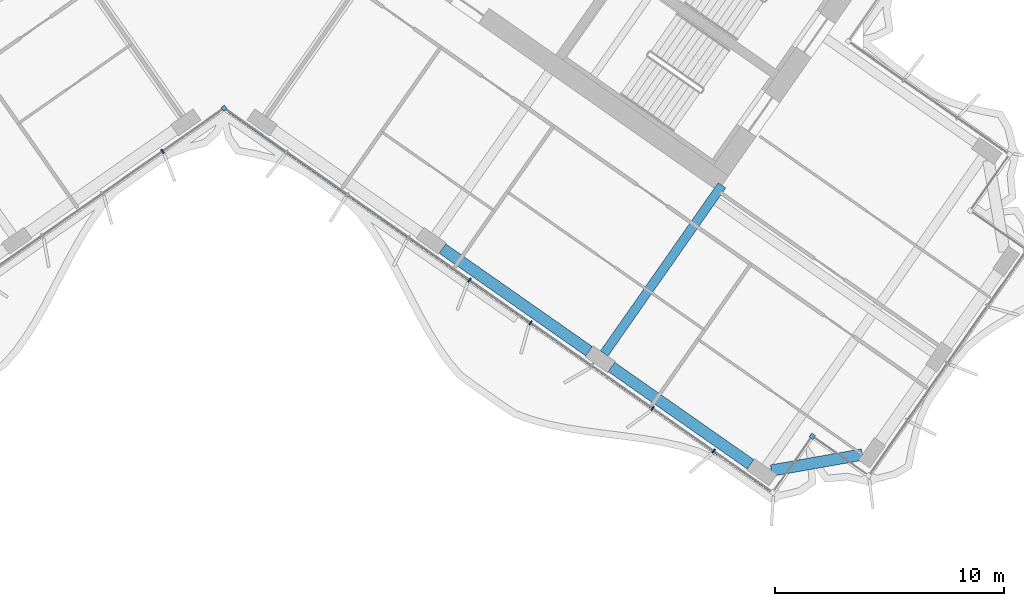
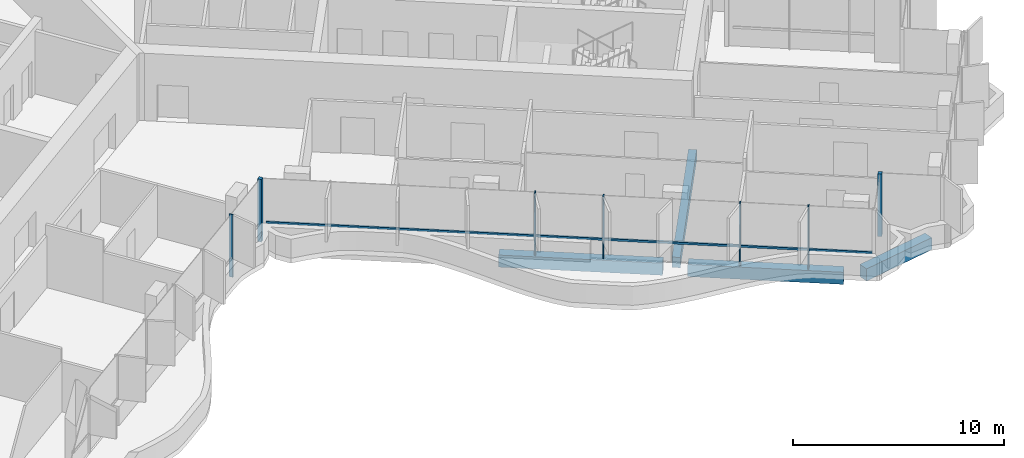
# One storey, part 6 of 23: 8 members, 4 beams, 1 element without a shape of its own.
"""IFC4 building model written with IfcOpenShell, lengths in metres."""

from ifc_helpers import new_model, si_unit, direction, frame, origin, origin_2d, place, context, subcontext, project, spatial, rectangle, extrude, material, material_profile, profile_set, type_object, element, aggregate, save


model = new_model("IFC4")

# Units and contexts
model_context = context("Model", 3, precision=1e-05, world=origin(), true_north=direction((0.0, 1.0)))
body_context = subcontext(model_context, "Body", "Model", "MODEL_VIEW")
ifc_project = project(units=[si_unit("LENGTHUNIT", "METRE"), si_unit("AREAUNIT", "SQUARE_METRE"), si_unit("VOLUMEUNIT", "CUBIC_METRE"), si_unit("PLANEANGLEUNIT", "RADIAN"), si_unit("MASSUNIT", "GRAM", prefix="KILO")], contexts=[model_context])

# Site, building, storey
site_placement = place(None, origin())
site = spatial("IfcSite", under=ifc_project, at=site_placement, CompositionType="ELEMENT")
building_placement = place(site_placement, origin())
building = spatial("IfcBuilding", under=site, at=building_placement, Name="Tel Ilan Convention Tower", CompositionType="ELEMENT")
storey_placement = place(building_placement, frame((0.0, 0.0, 198.300048828125)))
storey = spatial("IfcBuildingStorey", under=building, at=storey_placement, Name="L46", CompositionType="ELEMENT", Elevation=198.300048828125)

# Beams
ifc_material_1 = material(Name="Concrete C40/50", Category="concrete")
ifc_material_profile_1 = material_profile(ifc_material_1, rectangle(XDim=0.39990234375, YDim=0.60009765625, at=origin_2d()), Name="RC 400x600")
ifc_profile_set_1 = profile_set([ifc_material_profile_1], Name="Concrete C40/50")
beam_type_1 = type_object("IfcBeamType", Name="Beam RC 400x600 Concrete C40/50", PredefinedType="BEAM", material=ifc_profile_set_1)
beam_1_placement = place(storey_placement, frame((16.58203125, -23.391357421875, -0.580078125), z_axis=(0.573584999642, 0.819146048141, 0.0), x_axis=(-0.819146048141, 0.573584999642, 0.0)))
element("IfcBeam", 1, at=beam_1_placement, inside=storey, type_object=beam_type_1, Name="L46 beam E-E-F3-core", PredefinedType="BEAM", context=body_context, shape_type="SweptSolid", body=[
    extrude(rectangle(XDim=0.39990234375, YDim=0.60009765625, at=origin_2d()), origin(), (0.0, 0.0, 1.0), 8.949951171875),
])
ifc_material_2 = material(Name="Concrete C40/50", Category="concrete")
ifc_material_profile_2 = material_profile(ifc_material_2, rectangle(XDim=0.5, YDim=0.699951171875, at=origin_2d()), Name="RC 500x700")
ifc_profile_set_2 = profile_set([ifc_material_profile_2], Name="Concrete C40/50")
beam_type_2 = type_object("IfcBeamType", Name="Beam RC 500x700 Concrete C40/50", PredefinedType="BEAM", material=ifc_profile_set_2)
beam_2_placement = place(storey_placement, frame((9.529052734375, -18.819091796875, -0.630126953125), z_axis=(0.819153977895, -0.573573674866, 0.0), x_axis=(0.573573674866, 0.819153977895, 0.0)))
element("IfcBeam", 2, at=beam_2_placement, inside=storey, type_object=beam_type_2, Name="L46 beam E-E-F2-E-F3", PredefinedType="BEAM", context=body_context, shape_type="SweptSolid", body=[
    extrude(rectangle(XDim=0.5, YDim=0.699951171875, at=origin_2d()), origin(), (0.0, 0.0, 1.0), 7.800048828125),
])
beam_3_placement = place(storey_placement, frame((16.901611328125, -23.981201171875, -0.630126953125), z_axis=(0.819148211634, -0.573581909911, 0.0), x_axis=(0.573581909911, 0.819148211634, 0.0)))
element("IfcBeam", 3, at=beam_3_placement, inside=storey, type_object=beam_type_2, Name="L46 beam E-E-F3-E-FC", PredefinedType="BEAM", context=body_context, shape_type="SweptSolid", body=[
    extrude(rectangle(XDim=0.5, YDim=0.699951171875, at=origin_2d()), origin(), (0.0, 0.0, 1.0), 7.39990234375),
])
beam_4_placement = place(storey_placement, frame((23.87255859375, -28.49609375, -0.630126953125), z_axis=(0.984815252405, 0.173605641124, 0.0), x_axis=(-0.173605641124, 0.984815252405, 0.0)))
element("IfcBeam", 4, at=beam_4_placement, inside=storey, type_object=beam_type_2, Name="L46 beam E-E-FC-E-E1", PredefinedType="BEAM", context=body_context, shape_type="SweptSolid", body=[
    extrude(rectangle(XDim=0.5, YDim=0.699951171875, at=origin_2d()), origin(), (0.0, 0.0, 1.0), 4.030517578125),
])

# Curtain wall, members
ifc_material_3 = material(Name="Aluminium, bronze anodised", Category="aluminium")
curtain_wall_type = type_object("IfcCurtainWallType", Name="CW4 STICK CURTAIN WALL, OFFICE TINTED GLASS", PredefinedType="NOTDEFINED", material=ifc_material_3)
curtain_wall_placement = place(storey_placement, origin())
curtain_wall = element("IfcCurtainWall", 5, at=curtain_wall_placement, inside=storey, type_object=curtain_wall_type, Name="Curtain wall CW4-36.02", PredefinedType="NOTDEFINED")
ifc_material_4 = material(Name="Aluminium, bronze anodised", Category="aluminium")
ifc_material_profile_3 = material_profile(ifc_material_4, rectangle(XDim=0.199951171875, YDim=0.199951171875, at=origin_2d()), Name="CW CORNER MULLION 200x200")
ifc_profile_set_3 = profile_set([ifc_material_profile_3], Name="Aluminium, bronze anodised")
member_type_1 = type_object("IfcMemberType", Name="CW CORNER MULLION 200x200", PredefinedType="MULLION", material=ifc_profile_set_3)
member_1_placement = place(storey_placement, frame((0.0, -12.696044921875, 0.0), z_axis=(0.0, 0.0, 1.0), x_axis=(0.819152044289, 0.573576436351, 0.0)))
member_1 = element("IfcMember", 6, at=member_1_placement, type_object=member_type_1, Name="Corner mullion", PredefinedType="MULLION", context=body_context, shape_type="SweptSolid", body=[
    extrude(rectangle(XDim=0.199951171875, YDim=0.199951171875, at=origin_2d()), origin(), (0.0, 0.0, 1.0), 3.619873046875),
])
member_2_placement = place(storey_placement, frame((25.654541015625, -26.997314453125, 0.0), z_axis=(0.0, 0.0, 1.0), x_axis=(0.573576436351, 0.819152044289, 0.0)))
member_2 = element("IfcMember", 7, at=member_2_placement, type_object=member_type_1, Name="Corner mullion", PredefinedType="MULLION", context=body_context, shape_type="SweptSolid", body=[
    extrude(rectangle(XDim=0.199951171875, YDim=0.199951171875, at=origin_2d()), origin(), (0.0, 0.0, 1.0), 3.619873046875),
])
ifc_material_5 = material(Name="Aluminium, bronze anodised", Category="aluminium")
ifc_material_profile_4 = material_profile(ifc_material_5, rectangle(XDim=0.06005859375, YDim=0.199951171875, at=origin_2d()), Name="CW MULLION 60x200")
ifc_profile_set_4 = profile_set([ifc_material_profile_4], Name="Aluminium, bronze anodised")
member_type_2 = type_object("IfcMemberType", Name="CW MULLION 60x200", PredefinedType="MULLION", material=ifc_profile_set_4)
member_3_placement = place(storey_placement, frame((-2.6826171875, -14.574462890625, 0.0), z_axis=(0.0, 0.0, 1.0), x_axis=(0.819152044289, 0.573576436351, 0.0)))
member_3 = element("IfcMember", 8, at=member_3_placement, type_object=member_type_2, Name="Mullion", PredefinedType="MULLION", context=body_context, shape_type="SweptSolid", body=[
    extrude(rectangle(XDim=0.06005859375, YDim=0.199951171875, at=origin_2d()), origin(), (0.0, 0.0, 1.0), 3.619873046875),
])
member_4_placement = place(storey_placement, frame((10.70556640625, -20.192138671875, 0.0), z_axis=(0.0, 0.0, 1.0), x_axis=(0.819152044289, -0.573576436351, 0.0)))
member_4 = element("IfcMember", 9, at=member_4_placement, type_object=member_type_2, Name="Mullion", PredefinedType="MULLION", context=body_context, shape_type="SweptSolid", body=[
    extrude(rectangle(XDim=0.06005859375, YDim=0.199951171875, at=origin_2d()), origin(), (0.0, 0.0, 1.0), 3.619873046875),
])
member_5_placement = place(storey_placement, frame((13.36767578125, -22.05615234375, 0.0), z_axis=(0.0, 0.0, 1.0), x_axis=(0.819152044289, -0.573576436351, 0.0)))
member_5 = element("IfcMember", 10, at=member_5_placement, type_object=member_type_2, Name="Mullion", PredefinedType="MULLION", context=body_context, shape_type="SweptSolid", body=[
    extrude(rectangle(XDim=0.06005859375, YDim=0.199951171875, at=origin_2d()), origin(), (0.0, 0.0, 1.0), 3.619873046875),
])
member_6_placement = place(storey_placement, frame((18.691650390625, -25.7841796875, 0.0), z_axis=(0.0, 0.0, 1.0), x_axis=(0.819152044289, -0.573576436351, 0.0)))
member_6 = element("IfcMember", 11, at=member_6_placement, type_object=member_type_2, Name="Mullion", PredefinedType="MULLION", context=body_context, shape_type="SweptSolid", body=[
    extrude(rectangle(XDim=0.06005859375, YDim=0.199951171875, at=origin_2d()), origin(), (0.0, 0.0, 1.0), 3.619873046875),
])
member_7_placement = place(storey_placement, frame((21.353759765625, -27.648193359375, 0.0), z_axis=(0.0, 0.0, 1.0), x_axis=(0.819152044289, -0.573576436351, 0.0)))
member_7 = element("IfcMember", 12, at=member_7_placement, type_object=member_type_2, Name="Mullion", PredefinedType="MULLION", context=body_context, shape_type="SweptSolid", body=[
    extrude(rectangle(XDim=0.06005859375, YDim=0.199951171875, at=origin_2d()), origin(), (0.0, 0.0, 1.0), 3.619873046875),
])
ifc_material_6 = material(Name="Aluminium, bronze anodised", Category="aluminium")
ifc_material_profile_5 = material_profile(ifc_material_6, rectangle(XDim=0.10009765625, YDim=0.1201171875, at=origin_2d()), Name="CW TRANSOM 100x120")
ifc_profile_set_5 = profile_set([ifc_material_profile_5], Name="Aluminium, bronze anodised")
member_type_3 = type_object("IfcMemberType", Name="CW TRANSOM 100x120", PredefinedType="USERDEFINED", material=ifc_profile_set_5)
member_8_placement = place(storey_placement, frame((0.22119140625, -12.850830078125, 1.099853515625), z_axis=(0.819150008568, -0.573579343651, 0.0), x_axis=(0.573579343651, 0.819150008568, 0.0)))
member_8 = element("IfcMember", 13, at=member_8_placement, type_object=member_type_3, Name="Transom", ObjectType="TRANSOM", PredefinedType="USERDEFINED", context=body_context, shape_type="SweptSolid", body=[
    extrude(rectangle(XDim=0.10009765625, YDim=0.1201171875, at=origin_2d()), origin(), (0.0, 0.0, 1.0), 28.84814453125),
])
aggregate(curtain_wall, [member_3, member_1, member_4, member_5, member_6, member_7, member_8, member_2])

save(model, "model.ifc")
